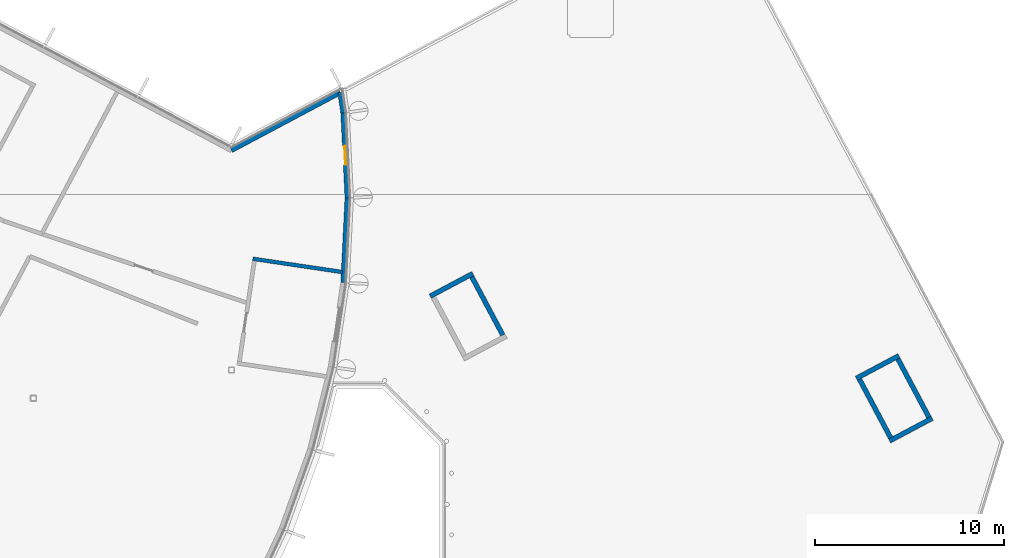
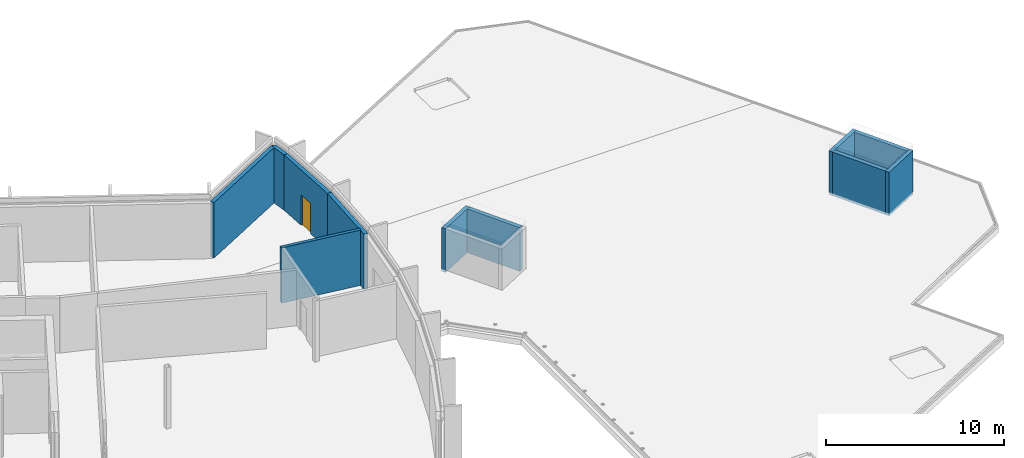
# One storey, part 8 of 16: 11 walls, 1 door, 1 opening.
"""IFC4 building model written with IfcOpenShell, lengths in metres."""

from ifc_helpers import new_model, si_unit, direction, frame, frame_2d, origin, place, context, subcontext, project, spatial, rectangle, extrude, material, layer, layer_set, type_object, element, fill, save


model = new_model("IFC4")

# Units and contexts
model_context = context("Model", 3, precision=1e-05, world=origin(), true_north=direction((0.0, 1.0)))
body_context = subcontext(model_context, "Body", "Model", "MODEL_VIEW")
ifc_project = project(units=[si_unit("LENGTHUNIT", "METRE"), si_unit("AREAUNIT", "SQUARE_METRE"), si_unit("VOLUMEUNIT", "CUBIC_METRE"), si_unit("PLANEANGLEUNIT", "RADIAN"), si_unit("MASSUNIT", "GRAM", prefix="KILO")], contexts=[model_context])

# Site, building, storey
site_placement = place(None, origin())
site = spatial("IfcSite", under=ifc_project, at=site_placement, CompositionType="ELEMENT")
building_placement = place(site_placement, origin())
building = spatial("IfcBuilding", under=site, at=building_placement, Name="Cormorant Relay Tower", CompositionType="ELEMENT")
storey_placement = place(building_placement, frame((0.0, 0.0, 328.199951171875)))
storey = spatial("IfcBuildingStorey", under=building, at=storey_placement, Name="C1", CompositionType="ELEMENT", Elevation=328.199951171875)

# Walls
ifc_material_1 = material(Name="Concrete 30 MPa block wall", Category="concrete")
ifc_layer_1 = layer(ifc_material_1, 0.199951171875)
ifc_layer_set_1 = layer_set([ifc_layer_1], Name="Crown plant room wall 200")
wall_type_1 = type_object("IfcWallType", Name="Crown plant room wall 200", PredefinedType="PARTITIONING", material=ifc_layer_set_1)
wall_1_placement = place(storey_placement, frame((5.878173828125, 17.191162109375, 0.0), z_axis=(0.0, 0.0, 1.0), x_axis=(-0.989175316106, 0.146738522571, 0.0)))
element("IfcWall", 1, at=wall_1_placement, inside=storey, type_object=wall_type_1, Name="Terrace lobby wall", PredefinedType="PARTITIONING", context=body_context, shape_type="SweptSolid", body=[
    extrude(rectangle(XDim=4.800048828125, YDim=0.199951171875, at=frame_2d((2.39990234375, 0.0))), origin(), (0.0, 0.0, 1.0), 3.7998046875),
])
ifc_material_2 = material(Name="Bronze cladding on Concrete 30 MPa block wall", Category="concrete")
ifc_layer_2 = layer(ifc_material_2, 0.25)
ifc_layer_set_2 = layer_set([ifc_layer_2], Name="Crown wall 250")
wall_type_2 = type_object("IfcWallType", Name="Crown wall 250", PredefinedType="STANDARD", material=ifc_layer_set_2)
wall_2_placement = place(storey_placement, frame((0.0, 23.642333984375, 0.0), z_axis=(0.0, 0.0, 1.0), x_axis=(0.882950939347, 0.469465268903, 0.0)))
element("IfcWall", 2, at=wall_2_placement, inside=storey, type_object=wall_type_2, Name="Crown wall C1", PredefinedType="STANDARD", context=body_context, shape_type="SweptSolid", body=[
    extrude(rectangle(XDim=6.5244140625, YDim=0.25, at=frame_2d((3.26220703125, 0.0))), origin(), (0.0, 0.0, 1.0), 3.7998046875),
])
wall_3_placement = place(storey_placement, frame((5.7607421875, 26.705322265625, 0.0), z_axis=(0.0, 0.0, 1.0), x_axis=(0.146791207587, -0.98916749915, 0.0)))
element("IfcWall", 3, at=wall_3_placement, inside=storey, type_object=wall_type_2, Name="Crown wall C1", PredefinedType="STANDARD", context=body_context, shape_type="SweptSolid", body=[
    extrude(rectangle(XDim=1.094482421875, YDim=0.25, at=frame_2d((0.54736328125, 0.0))), origin(), (0.0, 0.0, 1.0), 3.7998046875),
])

# Wall, opening, door
wall_4_placement = place(storey_placement, frame((5.92138671875, 25.622802734375, 0.0), z_axis=(0.0, 0.0, 1.0), x_axis=(0.049023404148, -0.998797630076, 0.0)))
wall_4 = element("IfcWall", 4, at=wall_4_placement, inside=storey, type_object=wall_type_2, Name="Crown wall C1", PredefinedType="STANDARD", context=body_context, shape_type="SweptSolid", body=[
    extrude(rectangle(XDim=4.501953125, YDim=0.25, at=frame_2d((2.2509765625, 0.0))), origin(), (0.0, 0.0, 1.0), 3.7998046875),
])
opening_placement = place(wall_4_placement, frame((1.7509765625, 0.0, 0.0)))
opening = element("IfcOpeningElement", 5, at=opening_placement, cuts=wall_4, Name="Opening CRD1-013", PredefinedType="OPENING", context=body_context, shape_type="SweptSolid", body=[
    extrude(rectangle(XDim=1.0, YDim=2.10009765625, at=frame_2d((0.5, 1.050048828125))), frame((0.0, 0.135009765625, 0.0), z_axis=(0.0, -1.0, 0.0), x_axis=(1.0, 0.0, 0.0)), (0.0, 0.0, 1.0), 0.27001953125),
])
ifc_material_3 = material(Name="Galvanised sheet steel ASTM A653 framed door leaf", Category="steel")
door_type = type_object("IfcDoorType", Name="Crown door single 1000", OperationType="SINGLE_SWING_LEFT", PredefinedType="DOOR", material=ifc_material_3)
door_placement = place(opening_placement, frame((1.0, 0.0, 0.0), z_axis=(0.0, 0.0, 1.0), x_axis=(-1.0, 0.0, 0.0)))
door = element("IfcDoor", 6, at=door_placement, inside=storey, type_object=door_type, Name="Roof terrace door north", OperationType="SINGLE_SWING_LEFT", OverallHeight=2.10009765625, OverallWidth=1.0, PredefinedType="DOOR", context=body_context, shape_type="SweptSolid", body=[
    extrude(rectangle(XDim=1.0, YDim=2.10009765625, at=frame_2d((0.5, 1.050048828125))), frame((0.0, 0.02490234375, 0.0), z_axis=(0.0, -1.0, 0.0), x_axis=(1.0, 0.0, 0.0)), (0.0, 0.0, 1.0), 0.050048828125),
])
fill(opening, door)

# Walls
wall_5_placement = place(storey_placement, frame((6.14208984375, 21.126220703125, 0.0), z_axis=(0.0, 0.0, 1.0), x_axis=(-0.049023404148, -0.998797630076, 0.0)))
element("IfcWall", 7, at=wall_5_placement, inside=storey, type_object=wall_type_2, Name="Crown wall C1", PredefinedType="STANDARD", context=body_context, shape_type="SweptSolid", body=[
    extrude(rectangle(XDim=4.501953125, YDim=0.25, at=frame_2d((2.2509765625, 0.0))), origin(), (0.0, 0.0, 1.0), 3.7998046875),
])
ifc_material_4 = material(Name="Concrete 50 MPa", Category="concrete")
ifc_layer_3 = layer(ifc_material_4, 0.25)
ifc_layer_set_3 = layer_set([ifc_layer_3], Name="Lift overrun wall 250")
wall_type_3 = type_object("IfcWallType", Name="Lift overrun wall 250", PredefinedType="SOLIDWALL", material=ifc_layer_set_3)
wall_6_placement = place(storey_placement, frame((10.539306640625, 15.91015625, 0.0), z_axis=(0.0, 0.0, 1.0), x_axis=(0.882924747423, 0.469514526281, 0.0)))
element("IfcWall", 8, at=wall_6_placement, inside=storey, type_object=wall_type_3, Name="Lift overrun wall", PredefinedType="SOLIDWALL", context=body_context, shape_type="SweptSolid", body=[
    extrude(rectangle(XDim=2.550048828125, YDim=0.25, at=frame_2d((1.27490234375, 0.0))), origin(), (0.0, 0.0, 1.0), 3.0),
])
wall_7_placement = place(storey_placement, frame((14.38232421875, 13.847900390625, 0.0), z_axis=(0.0, 0.0, 1.0), x_axis=(-0.469505386913, 0.88292960742, 0.0)))
element("IfcWall", 9, at=wall_7_placement, inside=storey, type_object=wall_type_3, Name="Lift overrun wall", PredefinedType="SOLIDWALL", context=body_context, shape_type="SweptSolid", body=[
    extrude(rectangle(XDim=3.5, YDim=0.25, at=frame_2d((1.75, 0.0))), origin(), (0.0, 0.0, 1.0), 3.0),
])
for number, where, z_axis, x_axis, name in (
    (10, (34.888427734375, 8.244140625, 0.0), (0.0, 0.0, 1.0), (0.882964435156, 0.469439885661, 0.0), "Lift overrun wall"),
    (11, (33.1279296875, 11.55517578125, 0.0), (0.0, 0.0, 1.0), (0.882964435156, 0.469439885661, 0.0), "Lift overrun wall"),
):
    element("IfcWall", number, at=place(storey_placement, frame(where, z_axis=z_axis, x_axis=x_axis)), inside=storey, type_object=wall_type_3, Name=name, PredefinedType="SOLIDWALL", context=body_context, shape_type="SweptSolid", body=[
        extrude(rectangle(XDim=2.5498046875, YDim=0.25, at=frame_2d((1.27490234375, 0.0))), origin(), (0.0, 0.0, 1.0), 3.0),
    ])
for number, where, z_axis, x_axis, name in (
    (12, (34.940185546875, 8.4130859375, 0.0), (0.0, 0.0, 1.0), (-0.469505386913, 0.88292960742, 0.0), "Lift overrun wall"),
    (13, (36.970947265625, 9.492919921875, 0.0), (0.0, 0.0, 1.0), (-0.469505386913, 0.88292960742, 0.0), "Lift overrun wall"),
):
    element("IfcWall", number, at=place(storey_placement, frame(where, z_axis=z_axis, x_axis=x_axis)), inside=storey, type_object=wall_type_3, Name=name, PredefinedType="SOLIDWALL", context=body_context, shape_type="SweptSolid", body=[
        extrude(rectangle(XDim=3.5, YDim=0.25, at=frame_2d((1.75, 0.0))), origin(), (0.0, 0.0, 1.0), 3.0),
    ])

save(model, "model.ifc")
